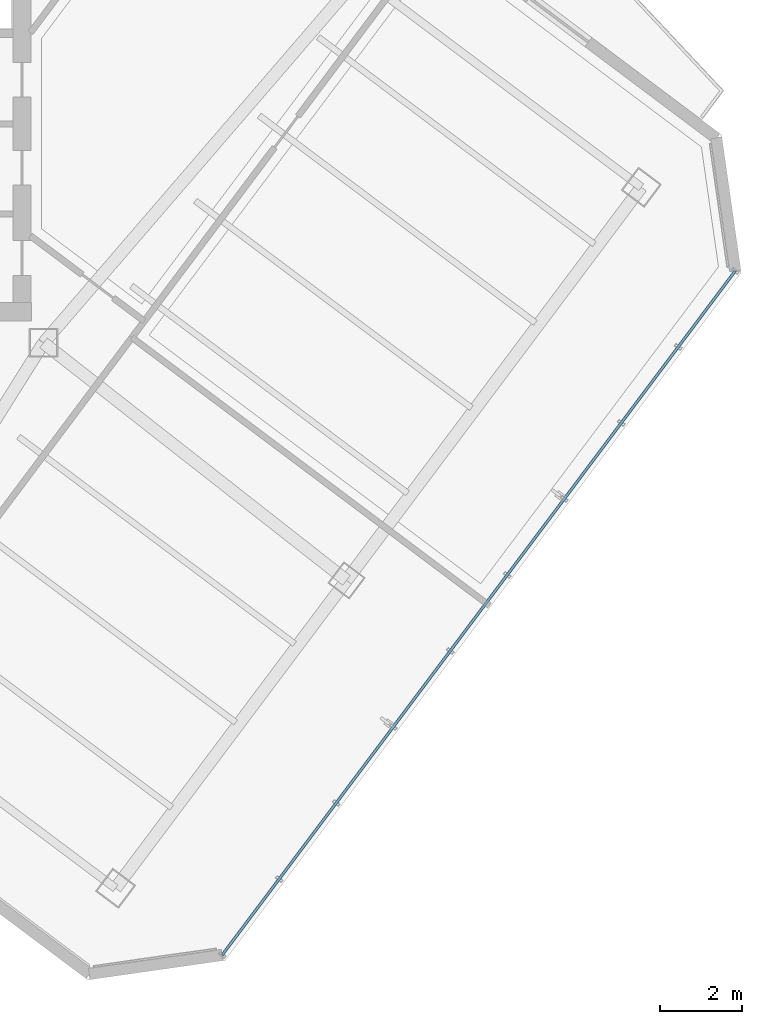
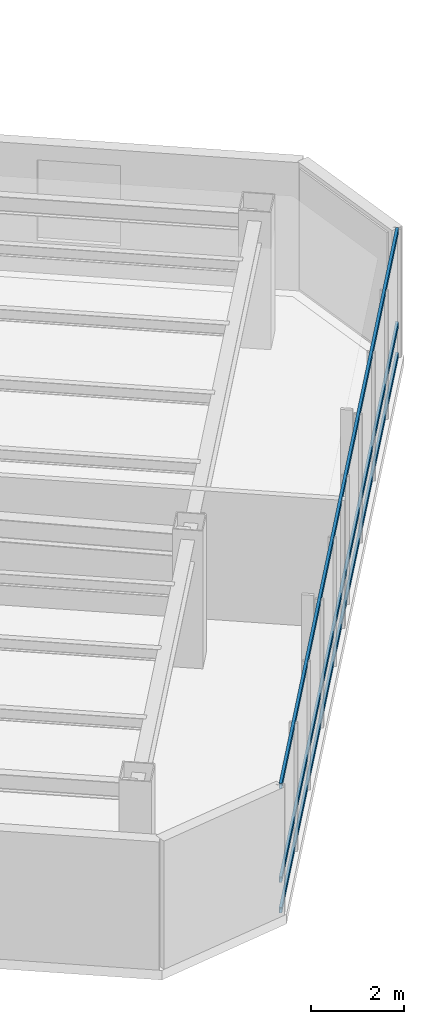
# One storey, part 12 of 25: 3 members, 1 element without a shape of its own.
"""IFC4 building model written with IfcOpenShell, lengths in metres."""

from ifc_helpers import new_model, si_unit, direction, frame, origin, origin_2d, place, context, subcontext, project, spatial, hollow_rectangle, extrude, material, layer, layer_set, material_profile, profile_set, type_object, element, aggregate, save


model = new_model("IFC4")

# Units and contexts
model_context = context("Model", 3, precision=1e-05, world=origin(), true_north=direction((0.0, 1.0)))
body_context = subcontext(model_context, "Body", "Model", "MODEL_VIEW")
ifc_project = project(units=[si_unit("LENGTHUNIT", "METRE"), si_unit("AREAUNIT", "SQUARE_METRE"), si_unit("VOLUMEUNIT", "CUBIC_METRE"), si_unit("PLANEANGLEUNIT", "RADIAN"), si_unit("MASSUNIT", "GRAM", prefix="KILO")], contexts=[model_context])

# Site, building, storey
site_placement = place(None, origin())
site = spatial("IfcSite", under=ifc_project, at=site_placement, CompositionType="ELEMENT")
building_placement = place(site_placement, origin())
building = spatial("IfcBuilding", under=site, at=building_placement, Name="Hatsunagi Terrace Concourse", CompositionType="ELEMENT")
storey_placement = place(building_placement, frame((0.0, 0.0, 216.75)))
storey = spatial("IfcBuildingStorey", under=building, at=storey_placement, Name="L57", CompositionType="ELEMENT", Elevation=216.75)

# Curtain wall, members
ifc_material_1 = material(Name="Anodised Aluminium Alloy 6063-T5", Category="aluminium")
ifc_layer = layer(ifc_material_1, 0.199951171875)
ifc_layer_set = layer_set([ifc_layer], Name="OfficeZone2_CW04")
curtain_wall_type = type_object("IfcCurtainWallType", Name="OfficeZone2_CW04", PredefinedType="NOTDEFINED", material=ifc_layer_set)
curtain_wall_placement = place(storey_placement, origin())
curtain_wall = element("IfcCurtainWall", 1, at=curtain_wall_placement, inside=storey, type_object=curtain_wall_type, Name="Unitised Curtain Wall CW-04 CW-L57-03", PredefinedType="NOTDEFINED")
ifc_material_2 = material(Name="Anodised Aluminium Alloy 6063-T5", Category="aluminium")
ifc_material_profile = material_profile(ifc_material_2, hollow_rectangle(XDim=0.06494140625, YDim=0.139892578125, WallThickness=0.00390625, at=origin_2d()), Name="ALU-TRN-140x65x4")
ifc_profile_set = profile_set([ifc_material_profile], Name="Anodised Aluminium Alloy 6063-T5")
member_type = type_object("IfcMemberType", Name="CurtainWallTransom_140x65", PredefinedType="USERDEFINED", material=ifc_profile_set)
member_1_placement = place(storey_placement, frame((60.693115234375, 25.9580078125, 0.050048828125), z_axis=(-0.599970072971, -0.800022444397, 0.0), x_axis=(0.800022444397, -0.599970072971, 0.0)))
member_1 = element("IfcMember", 2, at=member_1_placement, type_object=member_type, Name="Curtain Wall Transom TRN-02", ObjectType="TRANSOM", PredefinedType="USERDEFINED", context=body_context, shape_type="SweptSolid", body=[
    extrude(hollow_rectangle(XDim=0.06494140625, YDim=0.139892578125, WallThickness=0.00390625, at=origin_2d()), origin(), (0.0, 0.0, 1.0), 20.884521484375),
])
member_2_placement = place(storey_placement, frame((60.693115234375, 25.9580078125, 0.85009765625), z_axis=(-0.599970072971, -0.800022444397, 0.0), x_axis=(0.800022444397, -0.599970072971, 0.0)))
member_2 = element("IfcMember", 3, at=member_2_placement, type_object=member_type, Name="Curtain Wall Transom TRN-02", ObjectType="TRANSOM", PredefinedType="USERDEFINED", context=body_context, shape_type="SweptSolid", body=[
    extrude(hollow_rectangle(XDim=0.06494140625, YDim=0.139892578125, WallThickness=0.00390625, at=origin_2d()), origin(), (0.0, 0.0, 1.0), 20.884521484375),
])
member_3_placement = place(storey_placement, frame((60.693115234375, 25.9580078125, 3.300048828125), z_axis=(-0.599970072971, -0.800022444397, 0.0), x_axis=(0.800022444397, -0.599970072971, 0.0)))
member_3 = element("IfcMember", 4, at=member_3_placement, type_object=member_type, Name="Curtain Wall Transom TRN-02", ObjectType="TRANSOM", PredefinedType="USERDEFINED", context=body_context, shape_type="SweptSolid", body=[
    extrude(hollow_rectangle(XDim=0.06494140625, YDim=0.139892578125, WallThickness=0.00390625, at=origin_2d()), origin(), (0.0, 0.0, 1.0), 20.884521484375),
])
aggregate(curtain_wall, [member_1, member_2, member_3])

save(model, "model.ifc")
